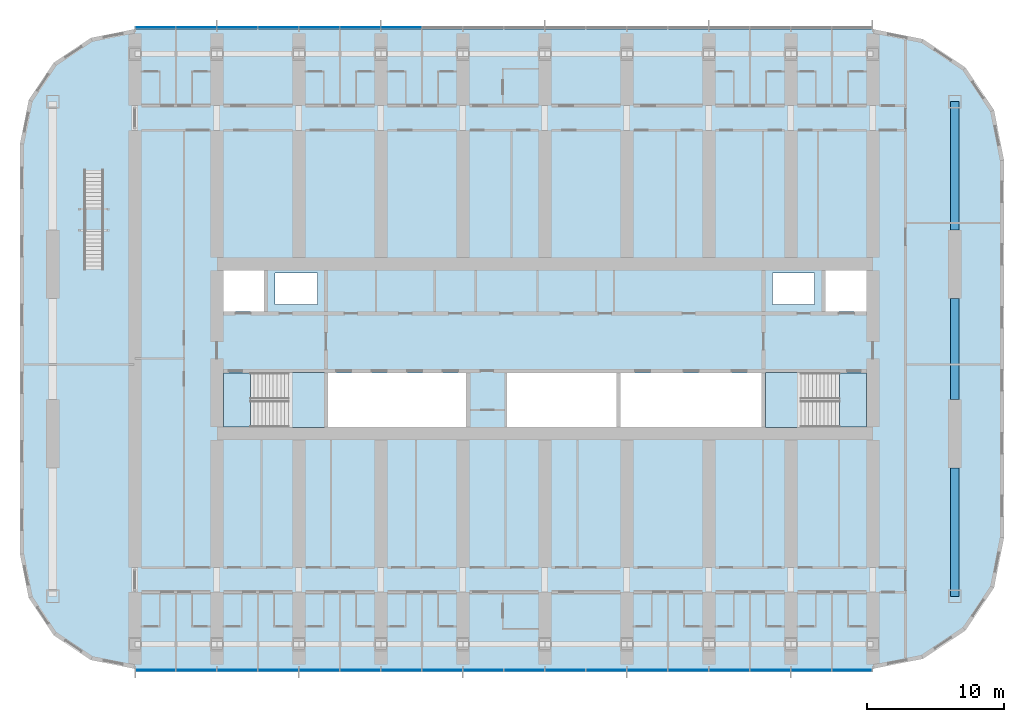
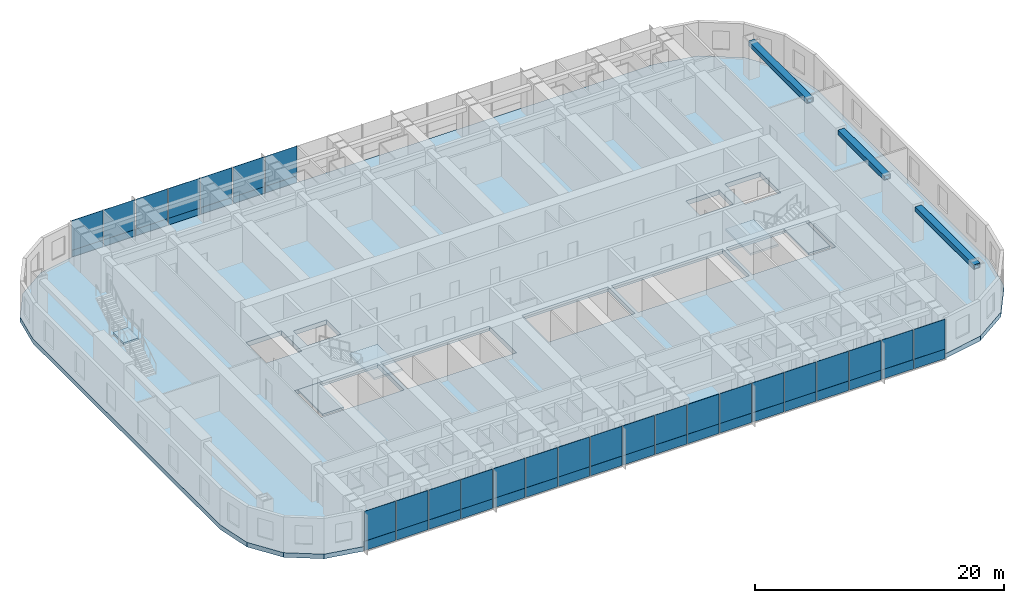
# One storey, part 8 of 25: 50 plates, 6 slabs, 3 beams, 5 elements without a shape of their own.
"""IFC4 building model written with IfcOpenShell, lengths in metres."""

from ifc_helpers import new_model, si_unit, direction, frame, origin, origin_2d, place, context, subcontext, project, spatial, polyline, rectangle, hollow_rectangle, outline, extrude, material, layer, layer_set, material_profile, profile_set, type_object, element, aggregate, save


model = new_model("IFC4")

# Units and contexts
model_context = context("Model", 3, precision=1e-05, world=origin(), true_north=direction((0.0, 1.0)))
body_context = subcontext(model_context, "Body", "Model", "MODEL_VIEW")
ifc_project = project(units=[si_unit("LENGTHUNIT", "METRE"), si_unit("AREAUNIT", "SQUARE_METRE"), si_unit("VOLUMEUNIT", "CUBIC_METRE"), si_unit("PLANEANGLEUNIT", "RADIAN"), si_unit("MASSUNIT", "GRAM", prefix="KILO")], contexts=[model_context])

# Site, building, storey
site_placement = place(None, origin())
site = spatial("IfcSite", under=ifc_project, at=site_placement, CompositionType="ELEMENT")
building_placement = place(site_placement, origin())
building = spatial("IfcBuilding", under=site, at=building_placement, Name="Orbita Commons", CompositionType="ELEMENT")
storey_placement = place(building_placement, frame((0.0, 0.0, 84.39990234375)))
storey = spatial("IfcBuildingStorey", under=building, at=storey_placement, Name="L20", CompositionType="ELEMENT", Elevation=84.39990234375)

# Beams
ifc_material_1 = material(Name="Steel ASTM A572 Gr 50 welded plate", Category="steel")
ifc_material_profile = material_profile(ifc_material_1, hollow_rectangle(XDim=0.60009765625, YDim=0.449951171875, WallThickness=0.06005859375, at=origin_2d()), Name="BOX 450x600x60")
ifc_profile_set = profile_set([ifc_material_profile], Name="Steel ASTM A572 Gr 50 welded plate")
beam_type = type_object("IfcBeamType", Name="Steel end frame link BOX 450x600x60", PredefinedType="BEAM", material=ifc_profile_set)
beam_1_placement = place(storey_placement, frame((72.0, 13.89990234375, 3.275146484375), z_axis=(0.0, 1.0, 0.0), x_axis=(-1.0, 0.0, 0.0)))
element("IfcBeam", 1, at=beam_1_placement, inside=storey, type_object=beam_type, Name="End frame beam 13 B-C L20", PredefinedType="BEAM", context=body_context, shape_type="SweptSolid", body=[
    extrude(hollow_rectangle(XDim=0.60009765625, YDim=0.449951171875, WallThickness=0.06005859375, at=origin_2d()), origin(), (0.0, 0.0, 1.0), 9.400146484375),
])
beam_2_placement = place(storey_placement, frame((72.0, 28.300048828125, 3.275146484375), z_axis=(0.0, 1.0, 0.0), x_axis=(-1.0, 0.0, 0.0)))
element("IfcBeam", 2, at=beam_2_placement, inside=storey, type_object=beam_type, Name="End frame beam 13 C-D L20", PredefinedType="BEAM", context=body_context, shape_type="SweptSolid", body=[
    extrude(hollow_rectangle(XDim=0.60009765625, YDim=0.449951171875, WallThickness=0.06005859375, at=origin_2d()), origin(), (0.0, 0.0, 1.0), 7.39990234375),
])
beam_3_placement = place(storey_placement, frame((72.0, 40.699951171875, 3.275146484375), z_axis=(0.0, 1.0, 0.0), x_axis=(-1.0, 0.0, 0.0)))
element("IfcBeam", 3, at=beam_3_placement, inside=storey, type_object=beam_type, Name="End frame beam 13 D-E L20", PredefinedType="BEAM", context=body_context, shape_type="SweptSolid", body=[
    extrude(hollow_rectangle(XDim=0.60009765625, YDim=0.449951171875, WallThickness=0.06005859375, at=origin_2d()), origin(), (0.0, 0.0, 1.0), 9.400146484375),
])

# Stair, slab
ifc_material_2 = material(Name="Steel ASTM A992 stringers, precast concrete C40/50 terrazzo treads", Category="concrete")
stair_type_1 = type_object("IfcStairType", Name="Feature stair 22 risers 170 x 280 x 1400", PredefinedType="STRAIGHT_RUN_STAIR", material=ifc_material_2)
stair_1_placement = place(storey_placement, origin())
stair_1 = element("IfcStair", 4, at=stair_1_placement, inside=storey, type_object=stair_type_1, Name="Neighbourhood stair L20 to L21", PredefinedType="STRAIGHT_RUN_STAIR")
ifc_material_3 = material(Name="Concrete C40/50", Category="concrete")
ifc_layer_1 = layer(ifc_material_3, 0.199951171875)
ifc_layer_set_1 = layer_set([ifc_layer_1], Name="Concrete C40/50")
slab_type_1 = type_object("IfcSlabType", Name="Feature stair landing 200", PredefinedType="LANDING", material=ifc_layer_set_1)
slab_1_placement = place(storey_placement, frame((0.0, 0.0, 1.675048828125)))
slab_1 = element("IfcSlab", 5, at=slab_1_placement, type_object=slab_type_1, Name="FS landing 1", PredefinedType="LANDING", context=body_context, shape_type="SweptSolid", body=[
    extrude(outline(polyline([(8.300048828125, 40.60009765625), (9.699951171875, 40.60009765625), (9.699951171875, 42.31005859375), (8.300048828125, 42.31005859375), (8.300048828125, 40.60009765625)])), origin(), (0.0, 0.0, 1.0), 0.199951171875),
])
aggregate(stair_1, [slab_1])

# Slab
ifc_material_4 = material(Name="Concrete C40/50", Category="concrete")
ifc_layer_2 = layer(ifc_material_4, 0.449951171875)
ifc_layer_set_2 = layer_set([ifc_layer_2], Name="Concrete C40/50")
slab_type_2 = type_object("IfcSlabType", Name="Floor slab 450", PredefinedType="FLOOR", material=ifc_layer_set_2)
slab_2_placement = place(storey_placement, frame((0.0, 0.0, -0.449951171875)))
element("IfcSlab", 6, at=slab_2_placement, inside=storey, type_object=slab_type_2, Name="Floor slab L20", PredefinedType="FLOOR", context=body_context, shape_type="SweptSolid", body=[
    extrude(outline(polyline([(66.0, 8.60009765625), (69.673828125, 9.330810546875), (72.788330078125, 11.411865234375), (74.869140625, 14.526123046875), (75.60009765625, 18.199951171875), (75.60009765625, 45.800048828125), (74.869140625, 49.473876953125), (72.788330078125, 52.588134765625), (69.673828125, 54.669189453125), (66.0, 55.39990234375), (12.0, 55.39990234375), (8.785400390625, 54.760498046875), (6.060302734375, 52.939697265625), (4.239501953125, 50.214599609375), (3.60009765625, 47.0), (3.60009765625, 17.0), (4.239501953125, 13.785400390625), (6.060302734375, 11.060302734375), (8.785400390625, 9.239501953125), (12.0, 8.60009765625), (66.0, 8.60009765625)]), holes=[polyline([(18.14990234375, 25.949951171875), (25.85009765625, 25.949951171875), (25.85009765625, 30.25), (18.14990234375, 30.25), (18.14990234375, 25.949951171875)]), polyline([(58.14990234375, 25.949951171875), (65.85009765625, 25.949951171875), (65.85009765625, 30.25), (58.14990234375, 30.25), (58.14990234375, 25.949951171875)]), polyline([(18.14990234375, 34.75), (21.449951171875, 34.75), (21.449951171875, 38.050048828125), (18.14990234375, 38.050048828125), (18.14990234375, 34.75)]), polyline([(62.550048828125, 34.75), (65.85009765625, 34.75), (65.85009765625, 38.050048828125), (62.550048828125, 38.050048828125), (62.550048828125, 34.75)]), polyline([(22.25, 35.25), (25.35009765625, 35.25), (25.35009765625, 37.550048828125), (22.25, 37.550048828125), (22.25, 35.25)]), polyline([(58.64990234375, 35.25), (61.75, 35.25), (61.75, 37.550048828125), (58.64990234375, 37.550048828125), (58.64990234375, 35.25)]), polyline([(26.14990234375, 25.949951171875), (36.25, 25.949951171875), (36.25, 30.25), (26.14990234375, 30.25), (26.14990234375, 25.949951171875)]), polyline([(39.25, 25.949951171875), (47.25, 25.949951171875), (47.25, 30.25), (39.25, 30.25), (39.25, 25.949951171875)]), polyline([(47.550048828125, 25.949951171875), (57.85009765625, 25.949951171875), (57.85009765625, 30.25), (47.550048828125, 30.25), (47.550048828125, 25.949951171875)])]), origin(), (0.0, 0.0, 1.0), 0.449951171875),
])

# Curtain wall, plates
ifc_material_5 = material(Name="Anodised aluminium frame, pale silver", Category="aluminium")
curtain_wall_type = type_object("IfcCurtainWallType", Name="Unitised curtain wall CW-T, vision and spandrel", PredefinedType="NOTDEFINED", material=ifc_material_5)
curtain_wall_1_placement = place(storey_placement, origin())
curtain_wall_1 = element("IfcCurtainWall", 7, at=curtain_wall_1_placement, inside=storey, type_object=curtain_wall_type, Name="Curtain wall south L20", PredefinedType="NOTDEFINED")
ifc_material_6 = material(Name="Anodised aluminium sheet on mineral wool", Category="aluminium")
ifc_layer_3 = layer(ifc_material_6, 0.050048828125)
ifc_layer_set_3 = layer_set([ifc_layer_3], Name="Anodised aluminium sheet on mineral wool")
plate_type_1 = type_object("IfcPlateType", Name="Spandrel panel, pale aluminium over insulation 50", PredefinedType="CURTAIN_PANEL", material=ifc_layer_set_3)
plate_1_placement = place(storey_placement, frame((13.52001953125, 8.489990234375, -0.35009765625), z_axis=(0.0, 0.0, 1.0), x_axis=(1.0, 0.0, 0.0)))
plate_1 = element("IfcPlate", 8, at=plate_1_placement, type_object=plate_type_1, Name="Panel 1.1 CW-L20-S", PredefinedType="CURTAIN_PANEL", context=body_context, shape_type="SweptSolid", body=[
    extrude(rectangle(XDim=2.8798828125, YDim=0.050048828125, at=origin_2d()), origin(), (0.0, 0.0, 1.0), 0.927001953125),
])
plate_2_placement = place(storey_placement, frame((16.5, 8.489990234375, -0.35009765625), z_axis=(0.0, 0.0, 1.0), x_axis=(1.0, 0.0, 0.0)))
plate_2 = element("IfcPlate", 9, at=plate_2_placement, type_object=plate_type_1, Name="Panel 2.1 CW-L20-S", PredefinedType="CURTAIN_PANEL", context=body_context, shape_type="SweptSolid", body=[
    extrude(rectangle(XDim=2.919921875, YDim=0.050048828125, at=origin_2d()), origin(), (0.0, 0.0, 1.0), 0.927001953125),
])
plate_3_placement = place(storey_placement, frame((19.5, 8.489990234375, -0.35009765625), z_axis=(0.0, 0.0, 1.0), x_axis=(1.0, 0.0, 0.0)))
plate_3 = element("IfcPlate", 10, at=plate_3_placement, type_object=plate_type_1, Name="Panel 3.1 CW-L20-S", PredefinedType="CURTAIN_PANEL", context=body_context, shape_type="SweptSolid", body=[
    extrude(rectangle(XDim=2.919921875, YDim=0.050048828125, at=origin_2d()), origin(), (0.0, 0.0, 1.0), 0.927001953125),
])
plate_4_placement = place(storey_placement, frame((22.5, 8.489990234375, -0.35009765625), z_axis=(0.0, 0.0, 1.0), x_axis=(1.0, 0.0, 0.0)))
plate_4 = element("IfcPlate", 11, at=plate_4_placement, type_object=plate_type_1, Name="Panel 4.1 CW-L20-S", PredefinedType="CURTAIN_PANEL", context=body_context, shape_type="SweptSolid", body=[
    extrude(rectangle(XDim=2.919921875, YDim=0.050048828125, at=origin_2d()), origin(), (0.0, 0.0, 1.0), 0.927001953125),
])
plate_5_placement = place(storey_placement, frame((25.5, 8.489990234375, -0.35009765625), z_axis=(0.0, 0.0, 1.0), x_axis=(1.0, 0.0, 0.0)))
plate_5 = element("IfcPlate", 12, at=plate_5_placement, type_object=plate_type_1, Name="Panel 5.1 CW-L20-S", PredefinedType="CURTAIN_PANEL", context=body_context, shape_type="SweptSolid", body=[
    extrude(rectangle(XDim=2.919921875, YDim=0.050048828125, at=origin_2d()), origin(), (0.0, 0.0, 1.0), 0.927001953125),
])
plate_6_placement = place(storey_placement, frame((28.5, 8.489990234375, -0.35009765625), z_axis=(0.0, 0.0, 1.0), x_axis=(1.0, 0.0, 0.0)))
plate_6 = element("IfcPlate", 13, at=plate_6_placement, type_object=plate_type_1, Name="Panel 6.1 CW-L20-S", PredefinedType="CURTAIN_PANEL", context=body_context, shape_type="SweptSolid", body=[
    extrude(rectangle(XDim=2.919921875, YDim=0.050048828125, at=origin_2d()), origin(), (0.0, 0.0, 1.0), 0.927001953125),
])
plate_7_placement = place(storey_placement, frame((31.5, 8.489990234375, -0.35009765625), z_axis=(0.0, 0.0, 1.0), x_axis=(1.0, 0.0, 0.0)))
plate_7 = element("IfcPlate", 14, at=plate_7_placement, type_object=plate_type_1, Name="Panel 7.1 CW-L20-S", PredefinedType="CURTAIN_PANEL", context=body_context, shape_type="SweptSolid", body=[
    extrude(rectangle(XDim=2.919921875, YDim=0.050048828125, at=origin_2d()), origin(), (0.0, 0.0, 1.0), 0.927001953125),
])
plate_8_placement = place(storey_placement, frame((34.5, 8.489990234375, -0.35009765625), z_axis=(0.0, 0.0, 1.0), x_axis=(1.0, 0.0, 0.0)))
plate_8 = element("IfcPlate", 15, at=plate_8_placement, type_object=plate_type_1, Name="Panel 8.1 CW-L20-S", PredefinedType="CURTAIN_PANEL", context=body_context, shape_type="SweptSolid", body=[
    extrude(rectangle(XDim=2.919921875, YDim=0.050048828125, at=origin_2d()), origin(), (0.0, 0.0, 1.0), 0.927001953125),
])
plate_9_placement = place(storey_placement, frame((37.5, 8.489990234375, -0.35009765625), z_axis=(0.0, 0.0, 1.0), x_axis=(1.0, 0.0, 0.0)))
plate_9 = element("IfcPlate", 16, at=plate_9_placement, type_object=plate_type_1, Name="Panel 9.1 CW-L20-S", PredefinedType="CURTAIN_PANEL", context=body_context, shape_type="SweptSolid", body=[
    extrude(rectangle(XDim=2.919921875, YDim=0.050048828125, at=origin_2d()), origin(), (0.0, 0.0, 1.0), 0.927001953125),
])
plate_10_placement = place(storey_placement, frame((40.5, 8.489990234375, -0.35009765625), z_axis=(0.0, 0.0, 1.0), x_axis=(1.0, 0.0, 0.0)))
plate_10 = element("IfcPlate", 17, at=plate_10_placement, type_object=plate_type_1, Name="Panel 10.1 CW-L20-S", PredefinedType="CURTAIN_PANEL", context=body_context, shape_type="SweptSolid", body=[
    extrude(rectangle(XDim=2.919921875, YDim=0.050048828125, at=origin_2d()), origin(), (0.0, 0.0, 1.0), 0.927001953125),
])
plate_11_placement = place(storey_placement, frame((43.5, 8.489990234375, -0.35009765625), z_axis=(0.0, 0.0, 1.0), x_axis=(1.0, 0.0, 0.0)))
plate_11 = element("IfcPlate", 18, at=plate_11_placement, type_object=plate_type_1, Name="Panel 11.1 CW-L20-S", PredefinedType="CURTAIN_PANEL", context=body_context, shape_type="SweptSolid", body=[
    extrude(rectangle(XDim=2.919921875, YDim=0.050048828125, at=origin_2d()), origin(), (0.0, 0.0, 1.0), 0.927001953125),
])
plate_12_placement = place(storey_placement, frame((46.5, 8.489990234375, -0.35009765625), z_axis=(0.0, 0.0, 1.0), x_axis=(1.0, 0.0, 0.0)))
plate_12 = element("IfcPlate", 19, at=plate_12_placement, type_object=plate_type_1, Name="Panel 12.1 CW-L20-S", PredefinedType="CURTAIN_PANEL", context=body_context, shape_type="SweptSolid", body=[
    extrude(rectangle(XDim=2.919921875, YDim=0.050048828125, at=origin_2d()), origin(), (0.0, 0.0, 1.0), 0.927001953125),
])
plate_13_placement = place(storey_placement, frame((49.5, 8.489990234375, -0.35009765625), z_axis=(0.0, 0.0, 1.0), x_axis=(1.0, 0.0, 0.0)))
plate_13 = element("IfcPlate", 20, at=plate_13_placement, type_object=plate_type_1, Name="Panel 13.1 CW-L20-S", PredefinedType="CURTAIN_PANEL", context=body_context, shape_type="SweptSolid", body=[
    extrude(rectangle(XDim=2.919921875, YDim=0.050048828125, at=origin_2d()), origin(), (0.0, 0.0, 1.0), 0.927001953125),
])
plate_14_placement = place(storey_placement, frame((52.5, 8.489990234375, -0.35009765625), z_axis=(0.0, 0.0, 1.0), x_axis=(1.0, 0.0, 0.0)))
plate_14 = element("IfcPlate", 21, at=plate_14_placement, type_object=plate_type_1, Name="Panel 14.1 CW-L20-S", PredefinedType="CURTAIN_PANEL", context=body_context, shape_type="SweptSolid", body=[
    extrude(rectangle(XDim=2.919921875, YDim=0.050048828125, at=origin_2d()), origin(), (0.0, 0.0, 1.0), 0.927001953125),
])
plate_15_placement = place(storey_placement, frame((55.5, 8.489990234375, -0.35009765625), z_axis=(0.0, 0.0, 1.0), x_axis=(1.0, 0.0, 0.0)))
plate_15 = element("IfcPlate", 22, at=plate_15_placement, type_object=plate_type_1, Name="Panel 15.1 CW-L20-S", PredefinedType="CURTAIN_PANEL", context=body_context, shape_type="SweptSolid", body=[
    extrude(rectangle(XDim=2.919921875, YDim=0.050048828125, at=origin_2d()), origin(), (0.0, 0.0, 1.0), 0.927001953125),
])
plate_16_placement = place(storey_placement, frame((58.5, 8.489990234375, -0.35009765625), z_axis=(0.0, 0.0, 1.0), x_axis=(1.0, 0.0, 0.0)))
plate_16 = element("IfcPlate", 23, at=plate_16_placement, type_object=plate_type_1, Name="Panel 16.1 CW-L20-S", PredefinedType="CURTAIN_PANEL", context=body_context, shape_type="SweptSolid", body=[
    extrude(rectangle(XDim=2.919921875, YDim=0.050048828125, at=origin_2d()), origin(), (0.0, 0.0, 1.0), 0.927001953125),
])
plate_17_placement = place(storey_placement, frame((61.5, 8.489990234375, -0.35009765625), z_axis=(0.0, 0.0, 1.0), x_axis=(1.0, 0.0, 0.0)))
plate_17 = element("IfcPlate", 24, at=plate_17_placement, type_object=plate_type_1, Name="Panel 17.1 CW-L20-S", PredefinedType="CURTAIN_PANEL", context=body_context, shape_type="SweptSolid", body=[
    extrude(rectangle(XDim=2.919921875, YDim=0.050048828125, at=origin_2d()), origin(), (0.0, 0.0, 1.0), 0.927001953125),
])
plate_18_placement = place(storey_placement, frame((64.47998046875, 8.489990234375, -0.35009765625), z_axis=(0.0, 0.0, 1.0), x_axis=(1.0, 0.0, 0.0)))
plate_18 = element("IfcPlate", 25, at=plate_18_placement, type_object=plate_type_1, Name="Panel 18.1 CW-L20-S", PredefinedType="CURTAIN_PANEL", context=body_context, shape_type="SweptSolid", body=[
    extrude(rectangle(XDim=2.8798828125, YDim=0.050048828125, at=origin_2d()), origin(), (0.0, 0.0, 1.0), 0.927001953125),
])

curtain_wall_2_placement = place(storey_placement, origin())
curtain_wall_2 = element("IfcCurtainWall", 26, at=curtain_wall_2_placement, inside=storey, type_object=curtain_wall_type, Name="Curtain wall north L20", PredefinedType="NOTDEFINED")
plate_19_placement = place(storey_placement, frame((31.5, 55.510009765625, -0.35009765625), z_axis=(0.0, 0.0, 1.0), x_axis=(-1.0, 0.0, 0.0)))
plate_19 = element("IfcPlate", 27, at=plate_19_placement, type_object=plate_type_1, Name="Panel 12.1 CW-L20-N", PredefinedType="CURTAIN_PANEL", context=body_context, shape_type="SweptSolid", body=[
    extrude(rectangle(XDim=2.919921875, YDim=0.050048828125, at=origin_2d()), origin(), (0.0, 0.0, 1.0), 0.927001953125),
])
plate_20_placement = place(storey_placement, frame((28.5, 55.510009765625, -0.35009765625), z_axis=(0.0, 0.0, 1.0), x_axis=(-1.0, 0.0, 0.0)))
plate_20 = element("IfcPlate", 28, at=plate_20_placement, type_object=plate_type_1, Name="Panel 13.1 CW-L20-N", PredefinedType="CURTAIN_PANEL", context=body_context, shape_type="SweptSolid", body=[
    extrude(rectangle(XDim=2.919921875, YDim=0.050048828125, at=origin_2d()), origin(), (0.0, 0.0, 1.0), 0.927001953125),
])
plate_21_placement = place(storey_placement, frame((25.5, 55.510009765625, -0.35009765625), z_axis=(0.0, 0.0, 1.0), x_axis=(-1.0, 0.0, 0.0)))
plate_21 = element("IfcPlate", 29, at=plate_21_placement, type_object=plate_type_1, Name="Panel 14.1 CW-L20-N", PredefinedType="CURTAIN_PANEL", context=body_context, shape_type="SweptSolid", body=[
    extrude(rectangle(XDim=2.919921875, YDim=0.050048828125, at=origin_2d()), origin(), (0.0, 0.0, 1.0), 0.927001953125),
])
plate_22_placement = place(storey_placement, frame((22.5, 55.510009765625, -0.35009765625), z_axis=(0.0, 0.0, 1.0), x_axis=(-1.0, 0.0, 0.0)))
plate_22 = element("IfcPlate", 30, at=plate_22_placement, type_object=plate_type_1, Name="Panel 15.1 CW-L20-N", PredefinedType="CURTAIN_PANEL", context=body_context, shape_type="SweptSolid", body=[
    extrude(rectangle(XDim=2.919921875, YDim=0.050048828125, at=origin_2d()), origin(), (0.0, 0.0, 1.0), 0.927001953125),
])
plate_23_placement = place(storey_placement, frame((19.5, 55.510009765625, -0.35009765625), z_axis=(0.0, 0.0, 1.0), x_axis=(-1.0, 0.0, 0.0)))
plate_23 = element("IfcPlate", 31, at=plate_23_placement, type_object=plate_type_1, Name="Panel 16.1 CW-L20-N", PredefinedType="CURTAIN_PANEL", context=body_context, shape_type="SweptSolid", body=[
    extrude(rectangle(XDim=2.919921875, YDim=0.050048828125, at=origin_2d()), origin(), (0.0, 0.0, 1.0), 0.927001953125),
])
plate_24_placement = place(storey_placement, frame((16.5, 55.510009765625, -0.35009765625), z_axis=(0.0, 0.0, 1.0), x_axis=(-1.0, 0.0, 0.0)))
plate_24 = element("IfcPlate", 32, at=plate_24_placement, type_object=plate_type_1, Name="Panel 17.1 CW-L20-N", PredefinedType="CURTAIN_PANEL", context=body_context, shape_type="SweptSolid", body=[
    extrude(rectangle(XDim=2.919921875, YDim=0.050048828125, at=origin_2d()), origin(), (0.0, 0.0, 1.0), 0.927001953125),
])
plate_25_placement = place(storey_placement, frame((13.52001953125, 55.510009765625, -0.35009765625), z_axis=(0.0, 0.0, 1.0), x_axis=(-1.0, 0.0, 0.0)))
plate_25 = element("IfcPlate", 33, at=plate_25_placement, type_object=plate_type_1, Name="Panel 18.1 CW-L20-N", PredefinedType="CURTAIN_PANEL", context=body_context, shape_type="SweptSolid", body=[
    extrude(rectangle(XDim=2.8798828125, YDim=0.050048828125, at=origin_2d()), origin(), (0.0, 0.0, 1.0), 0.927001953125),
])

# Stair, slabs
ifc_material_7 = material(Name="Precast concrete C40/50", Category="concrete")
stair_type_2 = type_object("IfcStairType", Name="Exit stair S1 2 flights 11 risers 170", PredefinedType="HALF_TURN_STAIR", material=ifc_material_7)
stair_2_placement = place(storey_placement, origin())
stair_2 = element("IfcStair", 34, at=stair_2_placement, inside=storey, type_object=stair_type_2, Name="Exit stair S1 L20", PredefinedType="HALF_TURN_STAIR")
ifc_material_8 = material(Name="Concrete C40/50", Category="concrete")
ifc_layer_4 = layer(ifc_material_8, 0.199951171875)
ifc_layer_set_4 = layer_set([ifc_layer_4], Name="Concrete C40/50")
slab_type_3 = type_object("IfcSlabType", Name="Stair landing 200", PredefinedType="LANDING", material=ifc_layer_set_4)
slab_3_placement = place(storey_placement, frame((0.0, 0.0, -0.199951171875)))
slab_3 = element("IfcSlab", 35, at=slab_3_placement, type_object=slab_type_3, Name="S1 landing 1", PredefinedType="LANDING", context=body_context, shape_type="SweptSolid", body=[
    extrude(outline(polyline([(18.47509765625, 26.27490234375), (20.449951171875, 26.27490234375), (20.449951171875, 30.25), (18.47509765625, 30.25), (18.47509765625, 26.27490234375)])), origin(), (0.0, 0.0, 1.0), 0.199951171875),
])
slab_4_placement = place(storey_placement, frame((0.0, 0.0, 1.675048828125)))
slab_4 = element("IfcSlab", 36, at=slab_4_placement, type_object=slab_type_3, Name="S1 landing 2", PredefinedType="LANDING", context=body_context, shape_type="SweptSolid", body=[
    extrude(outline(polyline([(23.25, 26.260009765625), (25.864990234375, 26.260009765625), (25.864990234375, 30.264892578125), (23.25, 30.264892578125), (23.25, 26.260009765625)])), origin(), (0.0, 0.0, 1.0), 0.199951171875),
])
aggregate(stair_2, [slab_3, slab_4])

ifc_material_9 = material(Name="Precast concrete C40/50", Category="concrete")
stair_type_3 = type_object("IfcStairType", Name="Exit stair S2 2 flights 11 risers 170", PredefinedType="HALF_TURN_STAIR", material=ifc_material_9)
stair_3_placement = place(storey_placement, origin())
stair_3 = element("IfcStair", 37, at=stair_3_placement, inside=storey, type_object=stair_type_3, Name="Exit stair S2 L20", PredefinedType="HALF_TURN_STAIR")
slab_5_placement = place(storey_placement, frame((0.0, 0.0, -0.199951171875)))
slab_5 = element("IfcSlab", 38, at=slab_5_placement, type_object=slab_type_3, Name="S2 landing 1", PredefinedType="LANDING", context=body_context, shape_type="SweptSolid", body=[
    extrude(outline(polyline([(63.550048828125, 26.27490234375), (65.52490234375, 26.27490234375), (65.52490234375, 30.25), (63.550048828125, 30.25), (63.550048828125, 26.27490234375)])), origin(), (0.0, 0.0, 1.0), 0.199951171875),
])
slab_6_placement = place(storey_placement, frame((0.0, 0.0, 1.675048828125)))
slab_6 = element("IfcSlab", 39, at=slab_6_placement, type_object=slab_type_3, Name="S2 landing 2", PredefinedType="LANDING", context=body_context, shape_type="SweptSolid", body=[
    extrude(outline(polyline([(58.135009765625, 26.260009765625), (60.75, 26.260009765625), (60.75, 30.264892578125), (58.135009765625, 30.264892578125), (58.135009765625, 26.260009765625)])), origin(), (0.0, 0.0, 1.0), 0.199951171875),
])
aggregate(stair_3, [slab_5, slab_6])

# Plate
ifc_material_10 = material(Name="Clear double glazing", Category="glass")
ifc_layer_5 = layer(ifc_material_10, 0.031982421875)
ifc_layer_set_5 = layer_set([ifc_layer_5], Name="Clear double glazing")
plate_type_2 = type_object("IfcPlateType", Name="Vision panel, clear double glazing 32", PredefinedType="CURTAIN_PANEL", material=ifc_layer_set_5)
plate_26_placement = place(storey_placement, frame((13.52001953125, 8.489990234375, 0.5771484375), z_axis=(0.0, 0.0, 1.0), x_axis=(1.0, 0.0, 0.0)))
plate_26 = element("IfcPlate", 40, at=plate_26_placement, type_object=plate_type_2, Name="Panel 1.2 CW-L20-S", PredefinedType="CURTAIN_PANEL", context=body_context, shape_type="SweptSolid", body=[
    extrude(rectangle(XDim=2.8798828125, YDim=0.031982421875, at=origin_2d()), origin(), (0.0, 0.0, 1.0), 2.923095703125),
])

plate_27_placement = place(storey_placement, frame((16.5, 8.489990234375, 0.5771484375), z_axis=(0.0, 0.0, 1.0), x_axis=(1.0, 0.0, 0.0)))
plate_27 = element("IfcPlate", 41, at=plate_27_placement, type_object=plate_type_2, Name="Panel 2.2 CW-L20-S", PredefinedType="CURTAIN_PANEL", context=body_context, shape_type="SweptSolid", body=[
    extrude(rectangle(XDim=2.919921875, YDim=0.031982421875, at=origin_2d()), origin(), (0.0, 0.0, 1.0), 2.923095703125),
])

plate_28_placement = place(storey_placement, frame((19.5, 8.489990234375, 0.5771484375), z_axis=(0.0, 0.0, 1.0), x_axis=(1.0, 0.0, 0.0)))
plate_28 = element("IfcPlate", 42, at=plate_28_placement, type_object=plate_type_2, Name="Panel 3.2 CW-L20-S", PredefinedType="CURTAIN_PANEL", context=body_context, shape_type="SweptSolid", body=[
    extrude(rectangle(XDim=2.919921875, YDim=0.031982421875, at=origin_2d()), origin(), (0.0, 0.0, 1.0), 2.923095703125),
])

plate_29_placement = place(storey_placement, frame((22.5, 8.489990234375, 0.5771484375), z_axis=(0.0, 0.0, 1.0), x_axis=(1.0, 0.0, 0.0)))
plate_29 = element("IfcPlate", 43, at=plate_29_placement, type_object=plate_type_2, Name="Panel 4.2 CW-L20-S", PredefinedType="CURTAIN_PANEL", context=body_context, shape_type="SweptSolid", body=[
    extrude(rectangle(XDim=2.919921875, YDim=0.031982421875, at=origin_2d()), origin(), (0.0, 0.0, 1.0), 2.923095703125),
])

plate_30_placement = place(storey_placement, frame((25.5, 8.489990234375, 0.5771484375), z_axis=(0.0, 0.0, 1.0), x_axis=(1.0, 0.0, 0.0)))
plate_30 = element("IfcPlate", 44, at=plate_30_placement, type_object=plate_type_2, Name="Panel 5.2 CW-L20-S", PredefinedType="CURTAIN_PANEL", context=body_context, shape_type="SweptSolid", body=[
    extrude(rectangle(XDim=2.919921875, YDim=0.031982421875, at=origin_2d()), origin(), (0.0, 0.0, 1.0), 2.923095703125),
])

plate_31_placement = place(storey_placement, frame((28.5, 8.489990234375, 0.5771484375), z_axis=(0.0, 0.0, 1.0), x_axis=(1.0, 0.0, 0.0)))
plate_31 = element("IfcPlate", 45, at=plate_31_placement, type_object=plate_type_2, Name="Panel 6.2 CW-L20-S", PredefinedType="CURTAIN_PANEL", context=body_context, shape_type="SweptSolid", body=[
    extrude(rectangle(XDim=2.919921875, YDim=0.031982421875, at=origin_2d()), origin(), (0.0, 0.0, 1.0), 2.923095703125),
])

plate_32_placement = place(storey_placement, frame((31.5, 8.489990234375, 0.5771484375), z_axis=(0.0, 0.0, 1.0), x_axis=(1.0, 0.0, 0.0)))
plate_32 = element("IfcPlate", 46, at=plate_32_placement, type_object=plate_type_2, Name="Panel 7.2 CW-L20-S", PredefinedType="CURTAIN_PANEL", context=body_context, shape_type="SweptSolid", body=[
    extrude(rectangle(XDim=2.919921875, YDim=0.031982421875, at=origin_2d()), origin(), (0.0, 0.0, 1.0), 2.923095703125),
])

plate_33_placement = place(storey_placement, frame((34.5, 8.489990234375, 0.5771484375), z_axis=(0.0, 0.0, 1.0), x_axis=(1.0, 0.0, 0.0)))
plate_33 = element("IfcPlate", 47, at=plate_33_placement, type_object=plate_type_2, Name="Panel 8.2 CW-L20-S", PredefinedType="CURTAIN_PANEL", context=body_context, shape_type="SweptSolid", body=[
    extrude(rectangle(XDim=2.919921875, YDim=0.031982421875, at=origin_2d()), origin(), (0.0, 0.0, 1.0), 2.923095703125),
])

plate_34_placement = place(storey_placement, frame((37.5, 8.489990234375, 0.5771484375), z_axis=(0.0, 0.0, 1.0), x_axis=(1.0, 0.0, 0.0)))
plate_34 = element("IfcPlate", 48, at=plate_34_placement, type_object=plate_type_2, Name="Panel 9.2 CW-L20-S", PredefinedType="CURTAIN_PANEL", context=body_context, shape_type="SweptSolid", body=[
    extrude(rectangle(XDim=2.919921875, YDim=0.031982421875, at=origin_2d()), origin(), (0.0, 0.0, 1.0), 2.923095703125),
])

plate_35_placement = place(storey_placement, frame((40.5, 8.489990234375, 0.5771484375), z_axis=(0.0, 0.0, 1.0), x_axis=(1.0, 0.0, 0.0)))
plate_35 = element("IfcPlate", 49, at=plate_35_placement, type_object=plate_type_2, Name="Panel 10.2 CW-L20-S", PredefinedType="CURTAIN_PANEL", context=body_context, shape_type="SweptSolid", body=[
    extrude(rectangle(XDim=2.919921875, YDim=0.031982421875, at=origin_2d()), origin(), (0.0, 0.0, 1.0), 2.923095703125),
])

plate_36_placement = place(storey_placement, frame((43.5, 8.489990234375, 0.5771484375), z_axis=(0.0, 0.0, 1.0), x_axis=(1.0, 0.0, 0.0)))
plate_36 = element("IfcPlate", 50, at=plate_36_placement, type_object=plate_type_2, Name="Panel 11.2 CW-L20-S", PredefinedType="CURTAIN_PANEL", context=body_context, shape_type="SweptSolid", body=[
    extrude(rectangle(XDim=2.919921875, YDim=0.031982421875, at=origin_2d()), origin(), (0.0, 0.0, 1.0), 2.923095703125),
])

plate_37_placement = place(storey_placement, frame((46.5, 8.489990234375, 0.5771484375), z_axis=(0.0, 0.0, 1.0), x_axis=(1.0, 0.0, 0.0)))
plate_37 = element("IfcPlate", 51, at=plate_37_placement, type_object=plate_type_2, Name="Panel 12.2 CW-L20-S", PredefinedType="CURTAIN_PANEL", context=body_context, shape_type="SweptSolid", body=[
    extrude(rectangle(XDim=2.919921875, YDim=0.031982421875, at=origin_2d()), origin(), (0.0, 0.0, 1.0), 2.923095703125),
])

plate_38_placement = place(storey_placement, frame((49.5, 8.489990234375, 0.5771484375), z_axis=(0.0, 0.0, 1.0), x_axis=(1.0, 0.0, 0.0)))
plate_38 = element("IfcPlate", 52, at=plate_38_placement, type_object=plate_type_2, Name="Panel 13.2 CW-L20-S", PredefinedType="CURTAIN_PANEL", context=body_context, shape_type="SweptSolid", body=[
    extrude(rectangle(XDim=2.919921875, YDim=0.031982421875, at=origin_2d()), origin(), (0.0, 0.0, 1.0), 2.923095703125),
])

plate_39_placement = place(storey_placement, frame((52.5, 8.489990234375, 0.5771484375), z_axis=(0.0, 0.0, 1.0), x_axis=(1.0, 0.0, 0.0)))
plate_39 = element("IfcPlate", 53, at=plate_39_placement, type_object=plate_type_2, Name="Panel 14.2 CW-L20-S", PredefinedType="CURTAIN_PANEL", context=body_context, shape_type="SweptSolid", body=[
    extrude(rectangle(XDim=2.919921875, YDim=0.031982421875, at=origin_2d()), origin(), (0.0, 0.0, 1.0), 2.923095703125),
])

plate_40_placement = place(storey_placement, frame((55.5, 8.489990234375, 0.5771484375), z_axis=(0.0, 0.0, 1.0), x_axis=(1.0, 0.0, 0.0)))
plate_40 = element("IfcPlate", 54, at=plate_40_placement, type_object=plate_type_2, Name="Panel 15.2 CW-L20-S", PredefinedType="CURTAIN_PANEL", context=body_context, shape_type="SweptSolid", body=[
    extrude(rectangle(XDim=2.919921875, YDim=0.031982421875, at=origin_2d()), origin(), (0.0, 0.0, 1.0), 2.923095703125),
])

plate_41_placement = place(storey_placement, frame((58.5, 8.489990234375, 0.5771484375), z_axis=(0.0, 0.0, 1.0), x_axis=(1.0, 0.0, 0.0)))
plate_41 = element("IfcPlate", 55, at=plate_41_placement, type_object=plate_type_2, Name="Panel 16.2 CW-L20-S", PredefinedType="CURTAIN_PANEL", context=body_context, shape_type="SweptSolid", body=[
    extrude(rectangle(XDim=2.919921875, YDim=0.031982421875, at=origin_2d()), origin(), (0.0, 0.0, 1.0), 2.923095703125),
])

plate_42_placement = place(storey_placement, frame((61.5, 8.489990234375, 0.5771484375), z_axis=(0.0, 0.0, 1.0), x_axis=(1.0, 0.0, 0.0)))
plate_42 = element("IfcPlate", 56, at=plate_42_placement, type_object=plate_type_2, Name="Panel 17.2 CW-L20-S", PredefinedType="CURTAIN_PANEL", context=body_context, shape_type="SweptSolid", body=[
    extrude(rectangle(XDim=2.919921875, YDim=0.031982421875, at=origin_2d()), origin(), (0.0, 0.0, 1.0), 2.923095703125),
])

plate_43_placement = place(storey_placement, frame((64.47998046875, 8.489990234375, 0.5771484375), z_axis=(0.0, 0.0, 1.0), x_axis=(1.0, 0.0, 0.0)))
plate_43 = element("IfcPlate", 57, at=plate_43_placement, type_object=plate_type_2, Name="Panel 18.2 CW-L20-S", PredefinedType="CURTAIN_PANEL", context=body_context, shape_type="SweptSolid", body=[
    extrude(rectangle(XDim=2.8798828125, YDim=0.031982421875, at=origin_2d()), origin(), (0.0, 0.0, 1.0), 2.923095703125),
])

aggregate(curtain_wall_1, [plate_1, plate_26, plate_2, plate_27, plate_3, plate_28, plate_4, plate_29, plate_5, plate_30, plate_6, plate_31, plate_7, plate_32, plate_8, plate_33, plate_9, plate_34, plate_10, plate_35, plate_11, plate_36, plate_12, plate_37, plate_13, plate_38, plate_14, plate_39, plate_15, plate_40, plate_16, plate_41, plate_17, plate_42, plate_18, plate_43])

plate_44_placement = place(storey_placement, frame((31.5, 55.510009765625, 0.5771484375), z_axis=(0.0, 0.0, 1.0), x_axis=(-1.0, 0.0, 0.0)))
plate_44 = element("IfcPlate", 58, at=plate_44_placement, type_object=plate_type_2, Name="Panel 12.2 CW-L20-N", PredefinedType="CURTAIN_PANEL", context=body_context, shape_type="SweptSolid", body=[
    extrude(rectangle(XDim=2.919921875, YDim=0.031982421875, at=origin_2d()), origin(), (0.0, 0.0, 1.0), 2.923095703125),
])

plate_45_placement = place(storey_placement, frame((28.5, 55.510009765625, 0.5771484375), z_axis=(0.0, 0.0, 1.0), x_axis=(-1.0, 0.0, 0.0)))
plate_45 = element("IfcPlate", 59, at=plate_45_placement, type_object=plate_type_2, Name="Panel 13.2 CW-L20-N", PredefinedType="CURTAIN_PANEL", context=body_context, shape_type="SweptSolid", body=[
    extrude(rectangle(XDim=2.919921875, YDim=0.031982421875, at=origin_2d()), origin(), (0.0, 0.0, 1.0), 2.923095703125),
])

plate_46_placement = place(storey_placement, frame((25.5, 55.510009765625, 0.5771484375), z_axis=(0.0, 0.0, 1.0), x_axis=(-1.0, 0.0, 0.0)))
plate_46 = element("IfcPlate", 60, at=plate_46_placement, type_object=plate_type_2, Name="Panel 14.2 CW-L20-N", PredefinedType="CURTAIN_PANEL", context=body_context, shape_type="SweptSolid", body=[
    extrude(rectangle(XDim=2.919921875, YDim=0.031982421875, at=origin_2d()), origin(), (0.0, 0.0, 1.0), 2.923095703125),
])

plate_47_placement = place(storey_placement, frame((22.5, 55.510009765625, 0.5771484375), z_axis=(0.0, 0.0, 1.0), x_axis=(-1.0, 0.0, 0.0)))
plate_47 = element("IfcPlate", 61, at=plate_47_placement, type_object=plate_type_2, Name="Panel 15.2 CW-L20-N", PredefinedType="CURTAIN_PANEL", context=body_context, shape_type="SweptSolid", body=[
    extrude(rectangle(XDim=2.919921875, YDim=0.031982421875, at=origin_2d()), origin(), (0.0, 0.0, 1.0), 2.923095703125),
])

plate_48_placement = place(storey_placement, frame((19.5, 55.510009765625, 0.5771484375), z_axis=(0.0, 0.0, 1.0), x_axis=(-1.0, 0.0, 0.0)))
plate_48 = element("IfcPlate", 62, at=plate_48_placement, type_object=plate_type_2, Name="Panel 16.2 CW-L20-N", PredefinedType="CURTAIN_PANEL", context=body_context, shape_type="SweptSolid", body=[
    extrude(rectangle(XDim=2.919921875, YDim=0.031982421875, at=origin_2d()), origin(), (0.0, 0.0, 1.0), 2.923095703125),
])

plate_49_placement = place(storey_placement, frame((16.5, 55.510009765625, 0.5771484375), z_axis=(0.0, 0.0, 1.0), x_axis=(-1.0, 0.0, 0.0)))
plate_49 = element("IfcPlate", 63, at=plate_49_placement, type_object=plate_type_2, Name="Panel 17.2 CW-L20-N", PredefinedType="CURTAIN_PANEL", context=body_context, shape_type="SweptSolid", body=[
    extrude(rectangle(XDim=2.919921875, YDim=0.031982421875, at=origin_2d()), origin(), (0.0, 0.0, 1.0), 2.923095703125),
])

plate_50_placement = place(storey_placement, frame((13.52001953125, 55.510009765625, 0.5771484375), z_axis=(0.0, 0.0, 1.0), x_axis=(-1.0, 0.0, 0.0)))
plate_50 = element("IfcPlate", 64, at=plate_50_placement, type_object=plate_type_2, Name="Panel 18.2 CW-L20-N", PredefinedType="CURTAIN_PANEL", context=body_context, shape_type="SweptSolid", body=[
    extrude(rectangle(XDim=2.8798828125, YDim=0.031982421875, at=origin_2d()), origin(), (0.0, 0.0, 1.0), 2.923095703125),
])

aggregate(curtain_wall_2, [plate_19, plate_44, plate_20, plate_45, plate_21, plate_46, plate_22, plate_47, plate_23, plate_48, plate_24, plate_49, plate_25, plate_50])

save(model, "model.ifc")
